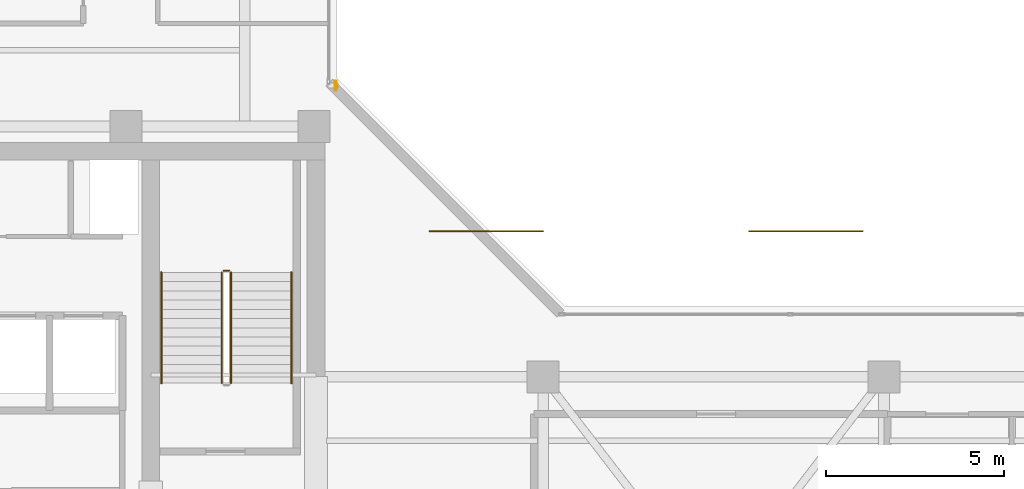
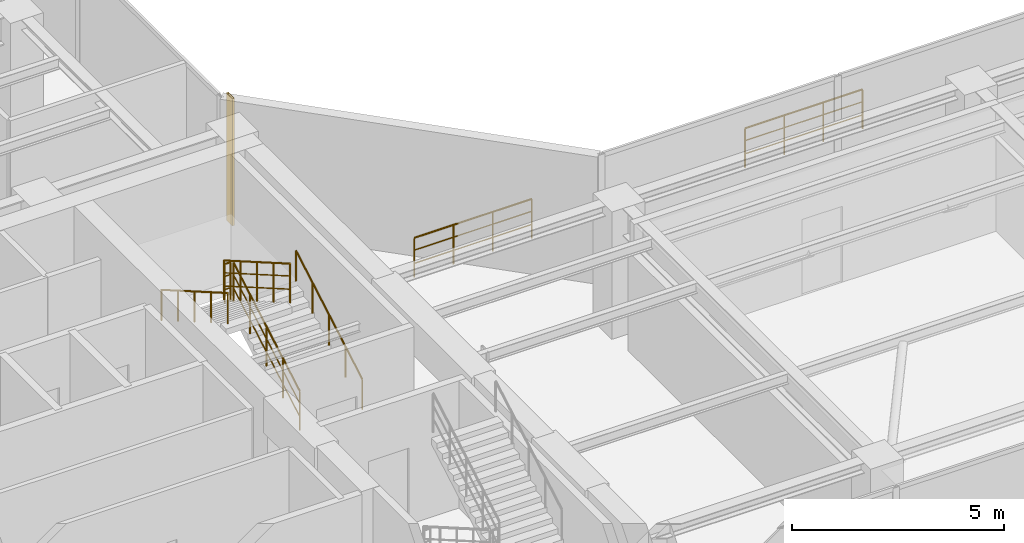
# One storey, part 29 of 31: 7 railings, 1 shading device.
"""IFC4 building model written with IfcOpenShell, lengths in metres."""

import ifcopenshell
import ifcopenshell.guid

model = None  # the IFC model being written
_history = None  # IfcOwnerHistory: only IFC2X3 demands one
_inside = {}  # id of a spatial element -> (the spatial element, [elements in it])
_under = {}  # id of a project, library or spatial element -> (it, [spatial elements below it])
_declared = {}  # id of a project -> (the project, [libraries it declares])
_typed = {}  # id of a type object -> (the type object, [elements of that type])
_made_of = {}  # id of a material, layer set ... -> (it, [elements and type objects made of it])


def new_model(schema):
    """Start an empty IFC model of exactly this schema.

    Asked for "IFC4X3", IfcOpenShell would pick the latest addendum, in which some entities
    have other attributes; the version numbers below select the first issue.
    IFC2X3 requires an IfcOwnerHistory on every rooted entity: one is made here for all.
    """
    global model, _history
    if schema == "IFC4X3":
        model = ifcopenshell.file(schema_version=(4, 3, 0, 0))
    else:
        model = ifcopenshell.file(schema=schema)
    _inside.clear()
    _under.clear()
    _declared.clear()
    _typed.clear()
    _made_of.clear()
    _history = None
    if model.schema == "IFC2X3":
        org = make("IfcOrganization", Name="unknown")
        user = make(
            "IfcPersonAndOrganization",
            ThePerson=make("IfcPerson", FamilyName="unknown"),
            TheOrganization=org,
        )
        app = make(
            "IfcApplication",
            ApplicationDeveloper=org,
            Version="unknown",
            ApplicationFullName="unknown",
            ApplicationIdentifier="unknown",
        )
        _history = make(
            "IfcOwnerHistory",
            OwningUser=user,
            OwningApplication=app,
            ChangeAction="ADDED",
            CreationDate=0,
        )
    return model


def make(cls, **values):
    """One entity of the class cls with the attributes given. An attribute that is None is left unset."""
    return model.create_entity(
        cls, **{name: value for name, value in values.items() if value is not None}
    )


def rooted(cls, **values):
    """An entity with a GlobalId (a new one), such as an element, a storey or a relation."""
    return make(cls, GlobalId=ifcopenshell.guid.new(), OwnerHistory=_history, **values)


def si_unit(unit_type, name, prefix=None):
    """IfcSIUnit, for example si_unit("LENGTHUNIT", "METRE", prefix="MILLI")."""
    return make("IfcSIUnit", UnitType=unit_type, Prefix=prefix, Name=name)


def assignment(units):
    """IfcUnitAssignment: the units of a project."""
    return None if units is None else make("IfcUnitAssignment", Units=units)


def point(xyz):
    """IfcCartesianPoint."""
    return None if xyz is None else make("IfcCartesianPoint", Coordinates=xyz)


def direction(xyz):
    """IfcDirection."""
    return None if xyz is None else make("IfcDirection", DirectionRatios=xyz)


def frame(location, z_axis=None, x_axis=None):
    """IfcAxis2Placement3D, a coordinate frame: its origin and axes. An axis left out is left unset."""
    return make(
        "IfcAxis2Placement3D",
        Location=point(location),
        Axis=direction(z_axis),
        RefDirection=direction(x_axis),
    )


def frame_2d(location, x_axis=None):
    """IfcAxis2Placement2D, a coordinate frame in the plane: its origin and x axis."""
    return make(
        "IfcAxis2Placement2D", Location=point(location), RefDirection=direction(x_axis)
    )


def origin():
    """The frame at (0, 0, 0) with its axes left unset."""
    return frame((0.0, 0.0, 0.0))


def origin_2d():
    """The frame at (0, 0) in the plane with its x axis left unset."""
    return frame_2d((0.0, 0.0))


def place(relative_to, where):
    """IfcLocalPlacement: puts the frame where relative to a parent placement (None: the world)."""
    return make(
        "IfcLocalPlacement", PlacementRelTo=relative_to, RelativePlacement=where
    )


def context(
    kind, dimensions, precision=None, world=None, true_north=None, identifier=None
):
    """IfcGeometricRepresentationContext, for example the 3D "Model" context."""
    return make(
        "IfcGeometricRepresentationContext",
        ContextIdentifier=identifier,
        ContextType=kind,
        CoordinateSpaceDimension=dimensions,
        Precision=precision,
        WorldCoordinateSystem=world,
        TrueNorth=true_north,
    )


def subcontext(parent, identifier, kind, view, scale=None):
    """IfcGeometricRepresentationSubContext, for example "Body" below "Model"."""
    return make(
        "IfcGeometricRepresentationSubContext",
        ContextIdentifier=identifier,
        ContextType=kind,
        ParentContext=parent,
        TargetScale=scale,
        TargetView=view,
    )


def project(units=None, contexts=None):
    """IfcProject with its units and contexts."""
    return rooted(
        "IfcProject",
        Name="project",
        RepresentationContexts=contexts,
        UnitsInContext=assignment(units),
    )


def spatial(cls, under=None, at=None, **own):
    """A site, building, storey or space (cls), placed at a placement, below another one or the project."""
    s = rooted(cls, ObjectPlacement=at, **own)
    if under is not None:
        _under.setdefault(under.id(), (under, []))[1].append(s)
    return s


def profile(cls, at=None, kind="AREA", **sizes):
    """A parametric profile (cls). Its sizes go by their IFC names, for example OverallWidth=200.0."""
    return make(cls, ProfileType=kind, Position=at, **sizes)


def hollow_rectangle(**sizes):
    """IfcRectangleHollowProfileDef."""
    return profile("IfcRectangleHollowProfileDef", **sizes)


def circle(**sizes):
    """IfcCircleProfileDef."""
    return profile("IfcCircleProfileDef", **sizes)


def extrude(swept, where, along, depth):
    """IfcExtrudedAreaSolid: the profile swept, set in the frame where, extruded along a direction by depth."""
    return make(
        "IfcExtrudedAreaSolid",
        SweptArea=swept,
        Position=where,
        ExtrudedDirection=direction(along),
        Depth=depth,
    )


def shape(context_of_items, identifier, shape_type, items):
    """IfcShapeRepresentation: the items that make up one representation, for example the "Body"."""
    return make(
        "IfcShapeRepresentation",
        ContextOfItems=context_of_items,
        RepresentationIdentifier=identifier,
        RepresentationType=shape_type,
        Items=items,
    )


def material(Name=None, Category=None):
    """IfcMaterial."""
    return make("IfcMaterial", Name=Name, Category=Category)


def material_profile(
    of_material, cross_section, Name=None, Category=None, Priority=None
):
    """IfcMaterialProfile: a cross section and its material."""
    return make(
        "IfcMaterialProfile",
        Name=Name,
        Material=of_material,
        Profile=cross_section,
        Priority=Priority,
        Category=Category,
    )


def profile_set(profiles, Name=None, composite=None):
    """IfcMaterialProfileSet."""
    return make(
        "IfcMaterialProfileSet",
        Name=Name,
        MaterialProfiles=profiles,
        CompositeProfile=composite,
    )


def made_of(thing, what):
    """Note that an element or type object is made of a material, layer set ...; save() writes the relation."""
    if what is not None:
        _made_of.setdefault(what.id(), (what, []))[1].append(thing)
    return thing


def type_object(cls, material=None, **own):
    """A type object (cls), such as IfcWallType, which elements share."""
    return made_of(rooted(cls, **own), material)


def element(
    cls,
    number,
    at=None,
    inside=None,
    cuts=None,
    type_object=None,
    material=None,
    context=None,
    identifier="Body",
    shape_type=None,
    held_by="IfcProductDefinitionShape",
    body=None,
    shapes=None,
    **own,
):
    """One element of the class cls, such as IfcWall. Its Tag is "e" and its number.

    at: its placement. inside: the storey or other place that contains it. cuts: it is an
    opening in that element (IfcRelVoidsElement). A single representation is given by context,
    identifier, shape_type and body (its items); several are given by shapes. held_by: the class
    of the entity that holds the representations. save() writes the other relations.
    """
    e = rooted(cls, Tag="e%d" % number, ObjectPlacement=at, **own)
    if body is not None:
        shapes = [shape(context, identifier, shape_type, body)]
    if shapes is not None:
        e.Representation = make(held_by, Representations=shapes)
    if inside is not None:
        _inside.setdefault(inside.id(), (inside, []))[1].append(e)
    if cuts is not None:
        rooted(
            "IfcRelVoidsElement", RelatingBuildingElement=cuts, RelatedOpeningElement=e
        )
    if type_object is not None:
        _typed.setdefault(type_object.id(), (type_object, []))[1].append(e)
    return made_of(e, material)


def aggregate(whole, parts):
    """IfcRelAggregates: a whole, such as a stair, and the parts it consists of."""
    return rooted("IfcRelAggregates", RelatingObject=whole, RelatedObjects=parts)


def save(model, path):
    """Write the relations noted so far, then the file.

    IfcRelAggregates (storeys below a building ...), IfcRelContainedInSpatialStructure (elements
    in a storey), IfcRelDefinesByType, IfcRelAssociatesMaterial and IfcRelDeclares: one each for
    every whole, place, type object, material and project.
    """
    for whole, parts in _under.values():
        aggregate(whole, parts)
    for where, things in _inside.values():
        rooted(
            "IfcRelContainedInSpatialStructure",
            RelatedElements=things,
            RelatingStructure=where,
        )
    for kind, things in _typed.values():
        rooted("IfcRelDefinesByType", RelatedObjects=things, RelatingType=kind)
    for what, things in _made_of.values():
        rooted("IfcRelAssociatesMaterial", RelatedObjects=things, RelatingMaterial=what)
    for by, libraries in _declared.values():
        rooted("IfcRelDeclares", RelatingContext=by, RelatedDefinitions=libraries)
    model.write(path)


model = new_model("IFC4")

# Units and contexts
model_context = context("Model", 3, precision=1e-05, world=origin(), true_north=direction((0.0, 1.0)))
body_context = subcontext(model_context, "Body", "Model", "MODEL_VIEW")
ifc_project = project(units=[si_unit("LENGTHUNIT", "METRE"), si_unit("AREAUNIT", "SQUARE_METRE"), si_unit("VOLUMEUNIT", "CUBIC_METRE"), si_unit("PLANEANGLEUNIT", "RADIAN"), si_unit("MASSUNIT", "GRAM", prefix="KILO")], contexts=[model_context])

# Site, building, storey
site_placement = place(None, origin())
site = spatial("IfcSite", under=ifc_project, at=site_placement, CompositionType="ELEMENT")
building_placement = place(site_placement, origin())
building = spatial("IfcBuilding", under=site, at=building_placement, Name="Kolvaren Waterfront Exchange", CompositionType="ELEMENT")
storey_placement = place(building_placement, frame((0.0, 0.0, 344.199951171875)))
storey = spatial("IfcBuildingStorey", under=building, at=storey_placement, Name="L88", CompositionType="ELEMENT", Elevation=344.199951171875)

# Railings
ifc_material_1 = material(Name="Anodised bronze aluminium and laminated glass", Category="aluminium")
railing_type_1 = type_object("IfcRailingType", Name="ARC-BALUSTRADE-1150", PredefinedType="BALUSTRADE", material=ifc_material_1)
for number, where, name in (
    (1, (24.0, 21.5, 0.0), "L88 gallery balustrade 1"),
    (2, (33.0, 21.5, 0.0), "L88 gallery balustrade 2"),
):
    element("IfcRailing", number, at=place(storey_placement, frame(where)), inside=storey, type_object=railing_type_1, Name=name, PredefinedType="BALUSTRADE", context=body_context, shape_type="SweptSolid", body=[
        extrude(circle(Radius=0.02392578125, at=origin_2d()), frame((0.0, 0.0, 1.1259765625), z_axis=(1.0, 0.0, 0.0), x_axis=(0.0, 1.0, 0.0)), (0.0, 0.0, 1.0), 3.199951171875),
        extrude(circle(Radius=0.01611328125, at=origin_2d()), frame((0.0, 0.0, 0.390869140625), z_axis=(1.0, 0.0, 0.0), x_axis=(0.0, 1.0, 0.0)), (0.0, 0.0, 1.0), 3.199951171875),
        extrude(circle(Radius=0.01611328125, at=origin_2d()), frame((0.0, 0.0, 0.7705078125), z_axis=(1.0, 0.0, 0.0), x_axis=(0.0, 1.0, 0.0)), (0.0, 0.0, 1.0), 3.199951171875),
        extrude(circle(Radius=0.02099609375, at=origin_2d()), origin(), (0.0, 0.0, 1.0), 1.101806640625),
        extrude(circle(Radius=0.02099609375, at=origin_2d()), frame((1.066650390625, 0.0, 0.0)), (0.0, 0.0, 1.0), 1.101806640625),
        extrude(circle(Radius=0.02099609375, at=origin_2d()), frame((2.13330078125, 0.0, 0.0)), (0.0, 0.0, 1.0), 1.101806640625),
        extrude(circle(Radius=0.02099609375, at=origin_2d()), frame((3.199951171875, 0.0, 0.0)), (0.0, 0.0, 1.0), 1.101806640625),
    ])

# Shading device
ifc_material_2 = material(Name="Anodised bronze aluminium 6063-T6", Category="aluminium")
ifc_material_profile = material_profile(ifc_material_2, hollow_rectangle(XDim=0.054931640625, YDim=0.280029296875, WallThickness=0.00439453125, at=origin_2d()), Name="BRZ-FIN-280x55x4.5")
ifc_profile_set = profile_set([ifc_material_profile], Name="Anodised bronze aluminium 6063-T6")
shading_device_type = type_object("IfcShadingDeviceType", Name="ARC-FIN-280", PredefinedType="USERDEFINED", material=ifc_profile_set)
shading_device_placement = place(storey_placement, frame((21.360107421875, 25.60009765625, 0.0), z_axis=(0.0, 0.0, 1.0), x_axis=(1.0, 0.0, 0.0)))
element("IfcShadingDevice", 3, at=shading_device_placement, inside=storey, type_object=shading_device_type, Name="L88 anodised bronze solar shading fin FIN-L88-E2", ObjectType="SOLAR FIN", PredefinedType="USERDEFINED", context=body_context, shape_type="SweptSolid", body=[
    extrude(hollow_rectangle(XDim=0.054931640625, YDim=0.280029296875, WallThickness=0.00439453125, at=origin_2d()), origin(), (0.0, 0.0, 1.0), 3.66015625),
])

# Railings
ifc_material_3 = material(Name="Stainless steel 316", Category="steel")
railing_type_2 = type_object("IfcRailingType", Name="ARC-GUARD-STAIR", PredefinedType="GUARDRAIL", material=ifc_material_3)
railing_1_placement = place(storey_placement, frame((18.409912109375, 17.219970703125, 0.150146484375)))
element("IfcRailing", 4, at=railing_1_placement, inside=storey, type_object=railing_type_2, Name="L88 ST2 stair guard 1", PredefinedType="GUARDRAIL", context=body_context, shape_type="SweptSolid", body=[
    extrude(circle(Radius=0.02392578125, at=origin_2d()), frame((0.0, 0.0, 1.1259765625), z_axis=(0.0, 0.866217179469, 0.499667687562), x_axis=(-1.0, 0.0, 0.0)), (0.0, 0.0, 1.0), 3.60205078125),
    extrude(circle(Radius=0.01611328125, at=origin_2d()), frame((0.0, 0.0, 0.390869140625), z_axis=(0.0, 0.866217179469, 0.499667687562), x_axis=(-1.0, 0.0, 0.0)), (0.0, 0.0, 1.0), 3.60205078125),
    extrude(circle(Radius=0.01611328125, at=origin_2d()), frame((0.0, 0.0, 0.7705078125), z_axis=(0.0, 0.866217179469, 0.499667687562), x_axis=(-1.0, 0.0, 0.0)), (0.0, 0.0, 1.0), 3.60205078125),
    extrude(circle(Radius=0.02099609375, at=origin_2d()), origin(), (0.0, 0.0, 1.0), 1.101806640625),
    extrude(circle(Radius=0.02099609375, at=origin_2d()), frame((0.0, 0.780029296875, 0.449951171875)), (0.0, 0.0, 1.0), 1.101806640625),
    extrude(circle(Radius=0.02099609375, at=origin_2d()), frame((0.0, 1.56005859375, 0.89990234375)), (0.0, 0.0, 1.0), 1.101806640625),
    extrude(circle(Radius=0.02099609375, at=origin_2d()), frame((0.0, 2.340087890625, 1.349853515625)), (0.0, 0.0, 1.0), 1.101806640625),
    extrude(circle(Radius=0.02099609375, at=origin_2d()), frame((0.0, 3.1201171875, 1.7998046875)), (0.0, 0.0, 1.0), 1.101806640625),
])
railing_2_placement = place(storey_placement, frame((18.360107421875, 20.389892578125, 1.949951171875)))
element("IfcRailing", 5, at=railing_2_placement, inside=storey, type_object=railing_type_2, Name="L88 ST2 stair guard 2", PredefinedType="GUARDRAIL", context=body_context, shape_type="SweptSolid", body=[
    extrude(circle(Radius=0.02392578125, at=origin_2d()), frame((0.0, 0.0, 1.1259765625), z_axis=(-1.0, 0.0, 0.0), x_axis=(0.0, -1.0, 0.0)), (0.0, 0.0, 1.0), 0.16015625),
    extrude(circle(Radius=0.01611328125, at=origin_2d()), frame((0.0, 0.0, 0.390869140625), z_axis=(-1.0, 0.0, 0.0), x_axis=(0.0, -1.0, 0.0)), (0.0, 0.0, 1.0), 0.16015625),
    extrude(circle(Radius=0.01611328125, at=origin_2d()), frame((0.0, 0.0, 0.7705078125), z_axis=(-1.0, 0.0, 0.0), x_axis=(0.0, -1.0, 0.0)), (0.0, 0.0, 1.0), 0.16015625),
    extrude(circle(Radius=0.02099609375, at=origin_2d()), origin(), (0.0, 0.0, 1.0), 1.101806640625),
    extrude(circle(Radius=0.02099609375, at=origin_2d()), frame((-0.16015625, 0.0, 0.0)), (0.0, 0.0, 1.0), 1.101806640625),
])
railing_3_placement = place(storey_placement, frame((18.14990234375, 20.340087890625, 2.10009765625)))
element("IfcRailing", 6, at=railing_3_placement, inside=storey, type_object=railing_type_2, Name="L88 ST2 stair guard 3", PredefinedType="GUARDRAIL", context=body_context, shape_type="SweptSolid", body=[
    extrude(circle(Radius=0.02392578125, at=origin_2d()), frame((0.0, 0.0, 1.1259765625), z_axis=(0.0, -0.86618784276, 0.499718541836), x_axis=(1.0, 0.0, 0.0)), (0.0, 0.0, 1.0), 3.60205078125),
    extrude(circle(Radius=0.01611328125, at=origin_2d()), frame((0.0, 0.0, 0.390869140625), z_axis=(0.0, -0.86618784276, 0.499718541836), x_axis=(1.0, 0.0, 0.0)), (0.0, 0.0, 1.0), 3.60205078125),
    extrude(circle(Radius=0.01611328125, at=origin_2d()), frame((0.0, 0.0, 0.7705078125), z_axis=(0.0, -0.86618784276, 0.499718541836), x_axis=(1.0, 0.0, 0.0)), (0.0, 0.0, 1.0), 3.60205078125),
    extrude(circle(Radius=0.02099609375, at=origin_2d()), origin(), (0.0, 0.0, 1.0), 1.101806640625),
    extrude(circle(Radius=0.02099609375, at=origin_2d()), frame((0.0, -0.780029296875, 0.449951171875)), (0.0, 0.0, 1.0), 1.101806640625),
    extrude(circle(Radius=0.02099609375, at=origin_2d()), frame((0.0, -1.56005859375, 0.89990234375)), (0.0, 0.0, 1.0), 1.101806640625),
    extrude(circle(Radius=0.02099609375, at=origin_2d()), frame((0.0, -2.340087890625, 1.35009765625)), (0.0, 0.0, 1.0), 1.101806640625),
    extrude(circle(Radius=0.02099609375, at=origin_2d()), frame((0.0, -3.1201171875, 1.800048828125)), (0.0, 0.0, 1.0), 1.101806640625),
])
railing_type_3 = type_object("IfcRailingType", Name="ARC-HANDRAIL-900", PredefinedType="HANDRAIL", material=ifc_material_3)
railing_4_placement = place(storey_placement, frame((20.110107421875, 17.219970703125, 0.150146484375)))
element("IfcRailing", 7, at=railing_4_placement, inside=storey, type_object=railing_type_3, Name="L88 ST2 stair handrail 1", PredefinedType="HANDRAIL", context=body_context, shape_type="SweptSolid", body=[
    extrude(circle(Radius=0.02392578125, at=origin_2d()), frame((0.0, 0.0, 0.8759765625), z_axis=(0.0, 0.866217179469, 0.499667687562), x_axis=(-1.0, 0.0, 0.0)), (0.0, 0.0, 1.0), 3.60205078125),
    extrude(circle(Radius=0.02099609375, at=origin_2d()), origin(), (0.0, 0.0, 1.0), 0.851806640625),
    extrude(circle(Radius=0.02099609375, at=origin_2d()), frame((0.0, 0.780029296875, 0.449951171875)), (0.0, 0.0, 1.0), 0.851806640625),
    extrude(circle(Radius=0.02099609375, at=origin_2d()), frame((0.0, 1.56005859375, 0.89990234375)), (0.0, 0.0, 1.0), 0.851806640625),
    extrude(circle(Radius=0.02099609375, at=origin_2d()), frame((0.0, 2.340087890625, 1.349853515625)), (0.0, 0.0, 1.0), 0.851806640625),
    extrude(circle(Radius=0.02099609375, at=origin_2d()), frame((0.0, 3.1201171875, 1.7998046875)), (0.0, 0.0, 1.0), 0.851806640625),
])
railing_5_placement = place(storey_placement, frame((16.449951171875, 20.340087890625, 2.10009765625)))
element("IfcRailing", 8, at=railing_5_placement, inside=storey, type_object=railing_type_3, Name="L88 ST2 stair handrail 2", PredefinedType="HANDRAIL", context=body_context, shape_type="SweptSolid", body=[
    extrude(circle(Radius=0.02392578125, at=origin_2d()), frame((0.0, 0.0, 0.8759765625), z_axis=(0.0, -0.86618784276, 0.499718541836), x_axis=(1.0, 0.0, 0.0)), (0.0, 0.0, 1.0), 3.60205078125),
    extrude(circle(Radius=0.02099609375, at=origin_2d()), origin(), (0.0, 0.0, 1.0), 0.851806640625),
    extrude(circle(Radius=0.02099609375, at=origin_2d()), frame((0.0, -0.780029296875, 0.449951171875)), (0.0, 0.0, 1.0), 0.851806640625),
    extrude(circle(Radius=0.02099609375, at=origin_2d()), frame((0.0, -1.56005859375, 0.89990234375)), (0.0, 0.0, 1.0), 0.851806640625),
    extrude(circle(Radius=0.02099609375, at=origin_2d()), frame((0.0, -2.340087890625, 1.35009765625)), (0.0, 0.0, 1.0), 0.851806640625),
    extrude(circle(Radius=0.02099609375, at=origin_2d()), frame((0.0, -3.1201171875, 1.800048828125)), (0.0, 0.0, 1.0), 0.851806640625),
])

save(model, "model.ifc")
